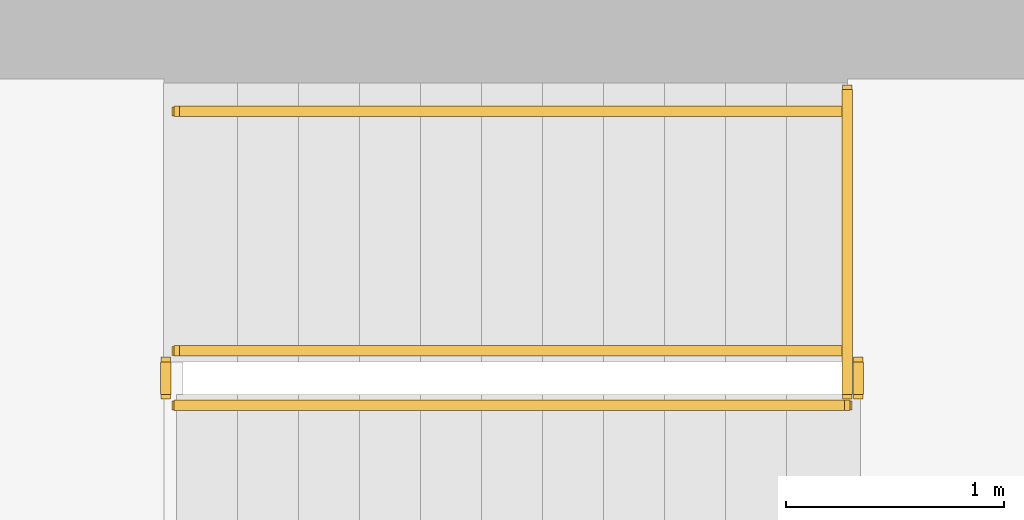
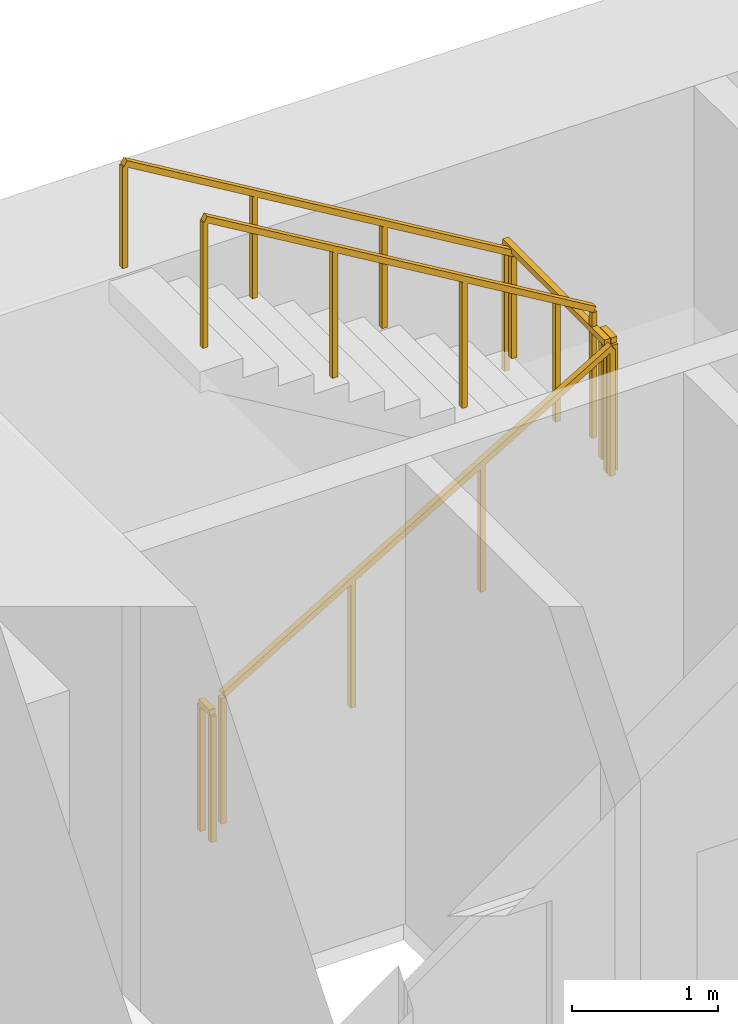
# One storey, part 15 of 16: 6 railings.
"""IFC4 building model written with IfcOpenShell, lengths in metres."""

from ifc_helpers import new_model, si_unit, direction, frame, origin, origin_2d, place, context, subcontext, project, spatial, rectangle, extrude, material, type_object, element, save


model = new_model("IFC4")

# Units and contexts
model_context = context("Model", 3, precision=1e-05, world=origin(), true_north=direction((0.0, 1.0)))
body_context = subcontext(model_context, "Body", "Model", "MODEL_VIEW")
ifc_project = project(units=[si_unit("LENGTHUNIT", "METRE"), si_unit("AREAUNIT", "SQUARE_METRE"), si_unit("VOLUMEUNIT", "CUBIC_METRE"), si_unit("PLANEANGLEUNIT", "RADIAN"), si_unit("MASSUNIT", "GRAM", prefix="KILO")], contexts=[model_context])

# Site, building, storey
site_placement = place(None, origin())
site = spatial("IfcSite", under=ifc_project, at=site_placement, CompositionType="ELEMENT")
building_placement = place(site_placement, origin())
building = spatial("IfcBuilding", under=site, at=building_placement, Name="Sennacour Bend Tower", CompositionType="ELEMENT")
storey_placement = place(building_placement, frame((0.0, 0.0, 57.0)))
storey = spatial("IfcBuildingStorey", under=building, at=storey_placement, Name="L12", CompositionType="ELEMENT", Elevation=57.0)

# Railings
ifc_material = material(Name="Stainless steel", Category="steel")
railing_type_1 = type_object("IfcRailingType", Name="RL-GUARD-1100", PredefinedType="GUARDRAIL", material=ifc_material)
railing_1_placement = place(storey_placement, frame((56.699951171875, 19.85009765625, 0.166748046875)))
element("IfcRailing", 1, at=railing_1_placement, inside=storey, type_object=railing_type_1, Name="L12 SA2 stair guard 1", PredefinedType="GUARDRAIL", context=body_context, shape_type="SweptSolid", body=[
    extrude(rectangle(XDim=0.048095703125, YDim=0.048095703125, at=origin_2d()), frame((0.0, 0.0, 1.076171875), z_axis=(0.859308565015, 0.0, 0.511457515432), x_axis=(0.0, 1.0, 0.0)), (0.0, 0.0, 1.0), 3.58447265625),
    extrude(rectangle(XDim=0.0419921875, YDim=0.0419921875, at=origin_2d()), origin(), (0.0, 0.0, 1.0), 1.052001953125),
    extrude(rectangle(XDim=0.0419921875, YDim=0.0419921875, at=origin_2d()), frame((1.026611328125, 0.0, 0.611083984375)), (0.0, 0.0, 1.0), 1.052001953125),
    extrude(rectangle(XDim=0.0419921875, YDim=0.0419921875, at=origin_2d()), frame((2.053466796875, 0.0, 1.22216796875)), (0.0, 0.0, 1.0), 1.052001953125),
    extrude(rectangle(XDim=0.0419921875, YDim=0.0419921875, at=origin_2d()), frame((3.080078125, 0.0, 1.833251953125)), (0.0, 0.0, 1.0), 1.052001953125),
])
railing_2_placement = place(storey_placement, frame((59.830078125, 19.89990234375, 2.0)))
element("IfcRailing", 2, at=railing_2_placement, inside=storey, type_object=railing_type_1, Name="L12 SA2 stair guard 2", PredefinedType="GUARDRAIL", context=body_context, shape_type="SweptSolid", body=[
    extrude(rectangle(XDim=0.048095703125, YDim=0.048095703125, at=origin_2d()), frame((0.0, 0.0, 1.076171875), z_axis=(0.0, 1.0, 0.0), x_axis=(-1.0, 0.0, 0.0)), (0.0, 0.0, 1.0), 0.150146484375),
    extrude(rectangle(XDim=0.0419921875, YDim=0.0419921875, at=origin_2d()), origin(), (0.0, 0.0, 1.0), 1.052001953125),
    extrude(rectangle(XDim=0.0419921875, YDim=0.0419921875, at=origin_2d()), frame((0.0, 0.150146484375, 0.0)), (0.0, 0.0, 1.0), 1.052001953125),
])
railing_3_placement = place(storey_placement, frame((59.780029296875, 20.10009765625, 2.166748046875)))
element("IfcRailing", 3, at=railing_3_placement, inside=storey, type_object=railing_type_1, Name="L12 SA2 stair guard 4", PredefinedType="GUARDRAIL", context=body_context, shape_type="SweptSolid", body=[
    extrude(rectangle(XDim=0.048095703125, YDim=0.048095703125, at=origin_2d()), frame((0.0, 0.0, 1.076171875), z_axis=(-0.859308565015, 0.0, 0.511457515432), x_axis=(0.0, -1.0, 0.0)), (0.0, 0.0, 1.0), 3.58447265625),
    extrude(rectangle(XDim=0.0419921875, YDim=0.0419921875, at=origin_2d()), origin(), (0.0, 0.0, 1.0), 1.052001953125),
    extrude(rectangle(XDim=0.0419921875, YDim=0.0419921875, at=origin_2d()), frame((-1.026611328125, 0.0, 0.611083984375)), (0.0, 0.0, 1.0), 1.052001953125),
    extrude(rectangle(XDim=0.0419921875, YDim=0.0419921875, at=origin_2d()), frame((-2.053466796875, 0.0, 1.22216796875)), (0.0, 0.0, 1.0), 1.052001953125),
    extrude(rectangle(XDim=0.0419921875, YDim=0.0419921875, at=origin_2d()), frame((-3.080078125, 0.0, 1.833251953125)), (0.0, 0.0, 1.0), 1.052001953125),
])
railing_4_placement = place(storey_placement, frame((56.64990234375, 19.89990234375, 0.0)))
element("IfcRailing", 4, at=railing_4_placement, inside=storey, type_object=railing_type_1, Name="L12 SA2 stair guard 5", PredefinedType="GUARDRAIL", context=body_context, shape_type="SweptSolid", body=[
    extrude(rectangle(XDim=0.048095703125, YDim=0.048095703125, at=origin_2d()), frame((0.0, 0.0, 1.076171875), z_axis=(0.0, 1.0, 0.0), x_axis=(-1.0, 0.0, 0.0)), (0.0, 0.0, 1.0), 0.150146484375),
    extrude(rectangle(XDim=0.0419921875, YDim=0.0419921875, at=origin_2d()), origin(), (0.0, 0.0, 1.0), 1.052001953125),
    extrude(rectangle(XDim=0.0419921875, YDim=0.0419921875, at=origin_2d()), frame((0.0, 0.150146484375, 0.0)), (0.0, 0.0, 1.0), 1.052001953125),
])
railing_5_placement = place(storey_placement, frame((59.780029296875, 19.89990234375, 2.0)))
element("IfcRailing", 5, at=railing_5_placement, inside=storey, type_object=railing_type_1, Name="L12 SA2 landing edge guard 23", PredefinedType="GUARDRAIL", context=body_context, shape_type="SweptSolid", body=[
    extrude(rectangle(XDim=0.048095703125, YDim=0.048095703125, at=origin_2d()), frame((0.0, 0.0, 1.076171875), z_axis=(0.0, 1.0, 0.0), x_axis=(-1.0, 0.0, 0.0)), (0.0, 0.0, 1.0), 1.400146484375),
    extrude(rectangle(XDim=0.0419921875, YDim=0.0419921875, at=origin_2d()), origin(), (0.0, 0.0, 1.0), 1.052001953125),
    extrude(rectangle(XDim=0.0419921875, YDim=0.0419921875, at=origin_2d()), frame((0.0, 0.7001953125, 0.0)), (0.0, 0.0, 1.0), 1.052001953125),
    extrude(rectangle(XDim=0.0419921875, YDim=0.0419921875, at=origin_2d()), frame((0.0, 1.400146484375, 0.0)), (0.0, 0.0, 1.0), 1.052001953125),
])
railing_type_2 = type_object("IfcRailingType", Name="RL-HANDRAIL-900", PredefinedType="HANDRAIL", material=ifc_material)
railing_6_placement = place(storey_placement, frame((59.780029296875, 21.199951171875, 2.166748046875)))
element("IfcRailing", 6, at=railing_6_placement, inside=storey, type_object=railing_type_2, Name="L12 SA2 stair handrail 2", PredefinedType="HANDRAIL", context=body_context, shape_type="SweptSolid", body=[
    extrude(rectangle(XDim=0.048095703125, YDim=0.048095703125, at=origin_2d()), frame((0.0, 0.0, 0.8759765625), z_axis=(-0.859308565015, 0.0, 0.511457515432), x_axis=(0.0, -1.0, 0.0)), (0.0, 0.0, 1.0), 3.58447265625),
    extrude(rectangle(XDim=0.0419921875, YDim=0.0419921875, at=origin_2d()), origin(), (0.0, 0.0, 1.0), 0.851806640625),
    extrude(rectangle(XDim=0.0419921875, YDim=0.0419921875, at=origin_2d()), frame((-1.026611328125, 0.0, 0.611083984375)), (0.0, 0.0, 1.0), 0.851806640625),
    extrude(rectangle(XDim=0.0419921875, YDim=0.0419921875, at=origin_2d()), frame((-2.053466796875, 0.0, 1.22216796875)), (0.0, 0.0, 1.0), 0.851806640625),
    extrude(rectangle(XDim=0.0419921875, YDim=0.0419921875, at=origin_2d()), frame((-3.080078125, 0.0, 1.833251953125)), (0.0, 0.0, 1.0), 0.851806640625),
])

save(model, "model.ifc")
